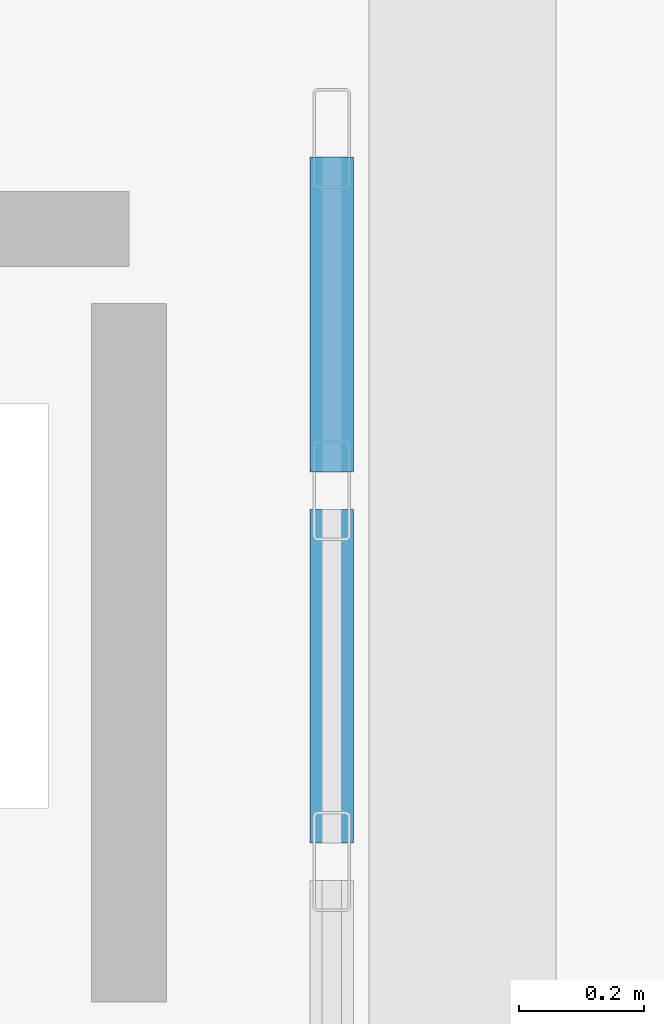
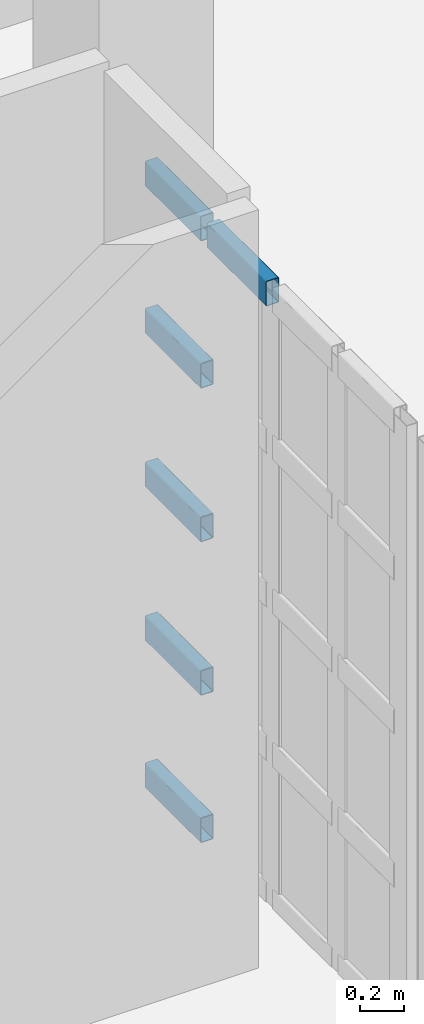
# One storey, part 44 of 73: 6 members, 1 element without a shape of its own.
"""IFC4 building model written with IfcOpenShell, lengths in metres."""

from ifc_helpers import new_model, si_unit, direction, frame, origin, origin_2d, place, context, subcontext, project, spatial, hollow_rectangle, extrude, material, material_profile, profile_set, type_object, element, aggregate, save


model = new_model("IFC4")

# Units and contexts
model_context = context("Model", 3, precision=1e-05, world=origin(), true_north=direction((0.0, 1.0)))
body_context = subcontext(model_context, "Body", "Model", "MODEL_VIEW")
ifc_project = project(units=[si_unit("LENGTHUNIT", "METRE"), si_unit("AREAUNIT", "SQUARE_METRE"), si_unit("VOLUMEUNIT", "CUBIC_METRE"), si_unit("PLANEANGLEUNIT", "RADIAN"), si_unit("MASSUNIT", "GRAM", prefix="KILO")], contexts=[model_context])

# Site, building, storey
site_placement = place(None, origin())
site = spatial("IfcSite", under=ifc_project, at=site_placement, CompositionType="ELEMENT")
building_placement = place(site_placement, origin())
building = spatial("IfcBuilding", under=site, at=building_placement, Name="Kaelora Sail Theatre", CompositionType="ELEMENT")
storey_placement = place(building_placement, frame((0.0, 0.0, 10.199951171875)))
storey = spatial("IfcBuildingStorey", under=building, at=storey_placement, Name="L02", CompositionType="ELEMENT", Elevation=10.199951171875)

# Curtain wall, members
ifc_material_1 = material(Name="Anodised aluminium and solar-control low-E IGU", Category="aluminium")
curtain_wall_type = type_object("IfcCurtainWallType", Name="ARC-CW-CW-BRG", PredefinedType="NOTDEFINED", material=ifc_material_1)
curtain_wall_placement = place(storey_placement, origin())
curtain_wall = element("IfcCurtainWall", 1, at=curtain_wall_placement, inside=storey, type_object=curtain_wall_type, Name="Glazed Colonnade/Courtyard Curtain Wall FC2-STEP-E-L02-04", PredefinedType="NOTDEFINED")
ifc_material_2 = material(Name="Anodised aluminium 6063-T6", Category="aluminium")
ifc_material_profile = material_profile(ifc_material_2, hollow_rectangle(XDim=0.070068359375, YDim=0.139892578125, WallThickness=0.00390625, InnerFilletRadius=0.00390625, OuterFilletRadius=0.008056640625, at=origin_2d()), Name="ALU-TRAN 70x140x4")
ifc_profile_set = profile_set([ifc_material_profile], Name="Anodised aluminium 6063-T6")
member_type = type_object("IfcMemberType", Name="ARC-MEM-TR-140", PredefinedType="USERDEFINED", material=ifc_profile_set)
member_1_placement = place(storey_placement, frame((122.7900390625, 81.6201171875, 3.3720703125), z_axis=(0.0, 1.0, 0.0), x_axis=(-1.0, 0.0, 0.0)))
member_1 = element("IfcMember", 2, at=member_1_placement, type_object=member_type, Name="CW-BRG transom 3.5", ObjectType="TRANSOM", PredefinedType="USERDEFINED", context=body_context, shape_type="SweptSolid", body=[
    extrude(hollow_rectangle(XDim=0.070068359375, YDim=0.139892578125, WallThickness=0.00390625, InnerFilletRadius=0.00390625, OuterFilletRadius=0.008056640625, at=origin_2d()), origin(), (0.0, 0.0, 1.0), 0.534912109375),
])
member_2_placement = place(storey_placement, frame((122.7900390625, 82.215087890625, 0.03515625), z_axis=(0.0, 1.0, 0.0), x_axis=(-1.0, 0.0, 0.0)))
member_2 = element("IfcMember", 3, at=member_2_placement, type_object=member_type, Name="CW-BRG transom 4.1", ObjectType="TRANSOM", PredefinedType="USERDEFINED", context=body_context, shape_type="SweptSolid", body=[
    extrude(hollow_rectangle(XDim=0.070068359375, YDim=0.139892578125, WallThickness=0.00390625, InnerFilletRadius=0.00390625, OuterFilletRadius=0.008056640625, at=origin_2d()), origin(), (0.0, 0.0, 1.0), 0.5048828125),
])
member_3_placement = place(storey_placement, frame((122.7900390625, 82.215087890625, 0.851806640625), z_axis=(0.0, 1.0, 0.0), x_axis=(-1.0, 0.0, 0.0)))
member_3 = element("IfcMember", 4, at=member_3_placement, type_object=member_type, Name="CW-BRG transom 4.2", ObjectType="TRANSOM", PredefinedType="USERDEFINED", context=body_context, shape_type="SweptSolid", body=[
    extrude(hollow_rectangle(XDim=0.070068359375, YDim=0.139892578125, WallThickness=0.00390625, InnerFilletRadius=0.00390625, OuterFilletRadius=0.008056640625, at=origin_2d()), origin(), (0.0, 0.0, 1.0), 0.5048828125),
])
member_4_placement = place(storey_placement, frame((122.7900390625, 82.215087890625, 1.70361328125), z_axis=(0.0, 1.0, 0.0), x_axis=(-1.0, 0.0, 0.0)))
member_4 = element("IfcMember", 5, at=member_4_placement, type_object=member_type, Name="CW-BRG transom 4.3", ObjectType="TRANSOM", PredefinedType="USERDEFINED", context=body_context, shape_type="SweptSolid", body=[
    extrude(hollow_rectangle(XDim=0.070068359375, YDim=0.139892578125, WallThickness=0.00390625, InnerFilletRadius=0.00390625, OuterFilletRadius=0.008056640625, at=origin_2d()), origin(), (0.0, 0.0, 1.0), 0.5048828125),
])
member_5_placement = place(storey_placement, frame((122.7900390625, 82.215087890625, 2.555419921875), z_axis=(0.0, 1.0, 0.0), x_axis=(-1.0, 0.0, 0.0)))
member_5 = element("IfcMember", 6, at=member_5_placement, type_object=member_type, Name="CW-BRG transom 4.4", ObjectType="TRANSOM", PredefinedType="USERDEFINED", context=body_context, shape_type="SweptSolid", body=[
    extrude(hollow_rectangle(XDim=0.070068359375, YDim=0.139892578125, WallThickness=0.00390625, InnerFilletRadius=0.00390625, OuterFilletRadius=0.008056640625, at=origin_2d()), origin(), (0.0, 0.0, 1.0), 0.5048828125),
])
member_6_placement = place(storey_placement, frame((122.7900390625, 82.215087890625, 3.3720703125), z_axis=(0.0, 1.0, 0.0), x_axis=(-1.0, 0.0, 0.0)))
member_6 = element("IfcMember", 7, at=member_6_placement, type_object=member_type, Name="CW-BRG transom 4.5", ObjectType="TRANSOM", PredefinedType="USERDEFINED", context=body_context, shape_type="SweptSolid", body=[
    extrude(hollow_rectangle(XDim=0.070068359375, YDim=0.139892578125, WallThickness=0.00390625, InnerFilletRadius=0.00390625, OuterFilletRadius=0.008056640625, at=origin_2d()), origin(), (0.0, 0.0, 1.0), 0.5048828125),
])
aggregate(curtain_wall, [member_1, member_2, member_3, member_4, member_5, member_6])

save(model, "model.ifc")
